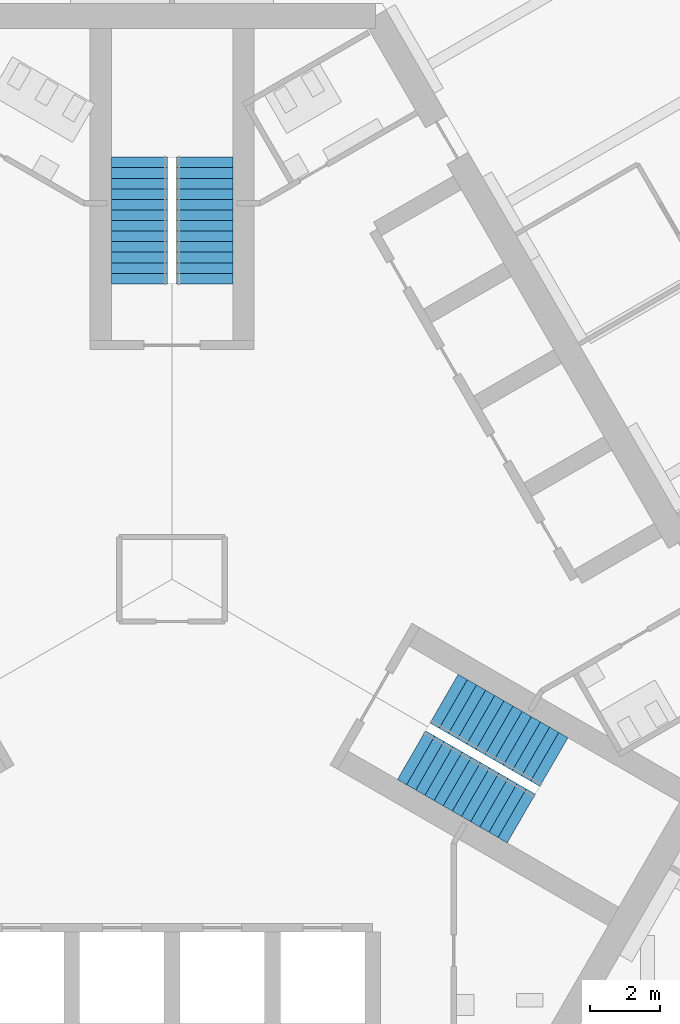
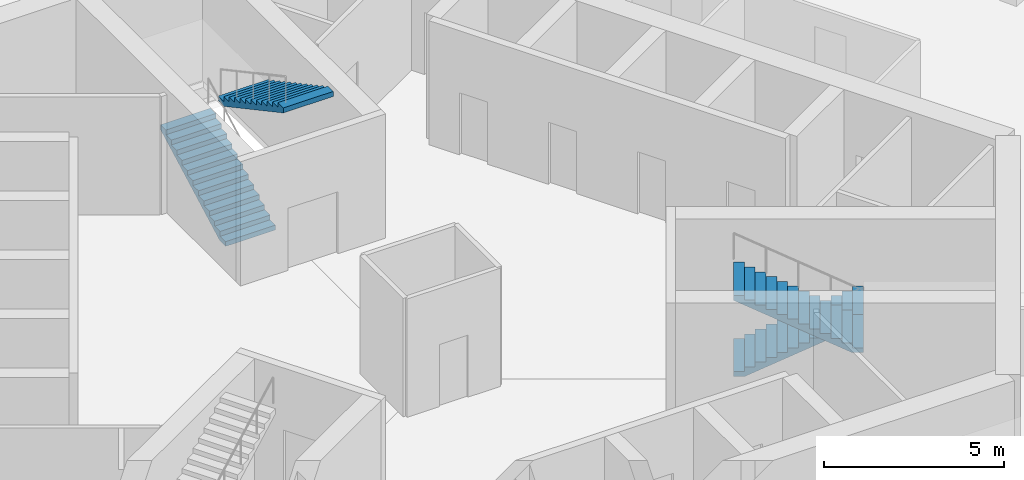
# One storey, part 14 of 19: 4 stair flights, 2 elements without a shape of their own.
"""IFC4 building model written with IfcOpenShell, lengths in metres."""

from ifc_helpers import new_model, si_unit, direction, frame, origin, place, context, subcontext, project, spatial, polyline, outline, extrude, material, type_object, element, aggregate, save


model = new_model("IFC4")

# Units and contexts
model_context = context("Model", 3, precision=1e-05, world=origin(), true_north=direction((0.0, 1.0)))
body_context = subcontext(model_context, "Body", "Model", "MODEL_VIEW")
ifc_project = project(units=[si_unit("LENGTHUNIT", "METRE"), si_unit("AREAUNIT", "SQUARE_METRE"), si_unit("VOLUMEUNIT", "CUBIC_METRE"), si_unit("PLANEANGLEUNIT", "RADIAN"), si_unit("MASSUNIT", "GRAM", prefix="KILO")], contexts=[model_context])

# Site, building, storey
site_placement = place(None, origin())
site = spatial("IfcSite", under=ifc_project, at=site_placement, CompositionType="ELEMENT")
building_placement = place(site_placement, origin())
building = spatial("IfcBuilding", under=site, at=building_placement, Name="Trefoil Bronze Tower", CompositionType="ELEMENT")
storey_placement = place(building_placement, frame((0.0, 0.0, 248.5)))
storey = spatial("IfcBuildingStorey", under=building, at=storey_placement, Name="L57", CompositionType="ELEMENT", Elevation=248.5)

# Stair, stair flights
ifc_material_1 = material(Name="Precast concrete B80", Category="concrete")
stair_type = type_object("IfcStairType", Name="Exit stair 26 risers", PredefinedType="HALF_TURN_STAIR", material=ifc_material_1)
stair_1_placement = place(storey_placement, origin())
stair_1 = element("IfcStair", 1, at=stair_1_placement, inside=storey, type_object=stair_type, Name="Stair ST1 L57", PredefinedType="HALF_TURN_STAIR")
ifc_material_2 = material(Name="Precast concrete B80", Category="concrete")
stair_flight_type = type_object("IfcStairFlightType", Name="Stair flight 1600", PredefinedType="STRAIGHT", material=ifc_material_2)
stair_flight_1_placement = place(storey_placement, frame((7.728515625, -3.39404296875, 0.0), z_axis=(0.0, 0.0, 1.0), x_axis=(0.866025403784, -0.5, 0.0)))
stair_flight_1 = element("IfcStairFlight", 2, at=stair_flight_1_placement, type_object=stair_flight_type, Name="ST1 flight 1", NumberOfRisers=13, NumberOfTreads=12, PredefinedType="STRAIGHT", RiserHeight=0.161538462, TreadLength=0.3, context=body_context, shape_type="SweptSolid", body=[
    extrude(outline(polyline([(0.0, 0.0), (0.0, 0.16162109375), (0.300048828125, 0.16162109375), (0.300048828125, 0.322998046875), (0.60009765625, 0.322998046875), (0.60009765625, 0.484619140625), (0.89990234375, 0.484619140625), (0.89990234375, 0.646240234375), (1.199951171875, 0.646240234375), (1.199951171875, 0.8076171875), (1.5, 0.8076171875), (1.5, 0.96923828125), (1.800048828125, 0.96923828125), (1.800048828125, 1.130859375), (2.10009765625, 1.130859375), (2.10009765625, 1.292236328125), (2.39990234375, 1.292236328125), (2.39990234375, 1.453857421875), (2.699951171875, 1.453857421875), (2.699951171875, 1.615478515625), (3.0, 1.615478515625), (3.0, 1.77685546875), (3.300048828125, 1.77685546875), (3.300048828125, 1.9384765625), (3.60009765625, 1.9384765625), (3.60009765625, 2.10009765625), (3.60009765625, 1.768310546875), (0.316162109375, 0.0), (0.0, 0.0)])), frame((0.0, 0.800048828125, 0.0), z_axis=(0.0, -1.0, 0.0), x_axis=(1.0, 0.0, 0.0)), (0.0, 0.0, 1.0), 1.60009765625),
])
stair_flight_2_placement = place(storey_placement, frame((9.921142578125, -6.796142578125, 2.10009765625), z_axis=(0.0, 0.0, 1.0), x_axis=(-0.866025403784, 0.5, 0.0)))
stair_flight_2 = element("IfcStairFlight", 3, at=stair_flight_2_placement, type_object=stair_flight_type, Name="ST1 flight 2", NumberOfRisers=13, NumberOfTreads=12, PredefinedType="STRAIGHT", RiserHeight=0.161538462, TreadLength=0.3, context=body_context, shape_type="SweptSolid", body=[
    extrude(outline(polyline([(0.0, 0.0), (0.0, 0.16162109375), (0.300048828125, 0.16162109375), (0.300048828125, 0.322998046875), (0.60009765625, 0.322998046875), (0.60009765625, 0.484619140625), (0.89990234375, 0.484619140625), (0.89990234375, 0.646240234375), (1.199951171875, 0.646240234375), (1.199951171875, 0.8076171875), (1.5, 0.8076171875), (1.5, 0.96923828125), (1.800048828125, 0.96923828125), (1.800048828125, 1.130859375), (2.10009765625, 1.130859375), (2.10009765625, 1.292236328125), (2.39990234375, 1.292236328125), (2.39990234375, 1.453857421875), (2.699951171875, 1.453857421875), (2.699951171875, 1.615478515625), (3.0, 1.615478515625), (3.0, 1.77685546875), (3.300048828125, 1.77685546875), (3.300048828125, 1.9384765625), (3.60009765625, 1.9384765625), (3.60009765625, 2.10009765625), (3.60009765625, 1.768310546875), (0.316162109375, 0.0), (0.0, 0.0)])), frame((0.0, 0.800048828125, 0.0), z_axis=(0.0, -1.0, 0.0), x_axis=(1.0, 0.0, 0.0)), (0.0, 0.0, 1.0), 1.60009765625),
])
aggregate(stair_1, [stair_flight_1, stair_flight_2])

stair_2_placement = place(storey_placement, origin())
stair_2 = element("IfcStair", 4, at=stair_2_placement, inside=storey, type_object=stair_type, Name="Stair ST2 L57", PredefinedType="HALF_TURN_STAIR")
stair_flight_3_placement = place(storey_placement, frame((-0.925048828125, 8.389892578125, 0.0), z_axis=(0.0, 0.0, 1.0), x_axis=(0.0, 1.0, 0.0)))
stair_flight_3 = element("IfcStairFlight", 5, at=stair_flight_3_placement, type_object=stair_flight_type, Name="ST2 flight 1", NumberOfRisers=13, NumberOfTreads=12, PredefinedType="STRAIGHT", RiserHeight=0.161538462, TreadLength=0.3, context=body_context, shape_type="SweptSolid", body=[
    extrude(outline(polyline([(0.0, 0.0), (0.0, 0.16162109375), (0.300048828125, 0.16162109375), (0.300048828125, 0.322998046875), (0.60009765625, 0.322998046875), (0.60009765625, 0.484619140625), (0.89990234375, 0.484619140625), (0.89990234375, 0.646240234375), (1.199951171875, 0.646240234375), (1.199951171875, 0.8076171875), (1.5, 0.8076171875), (1.5, 0.96923828125), (1.800048828125, 0.96923828125), (1.800048828125, 1.130859375), (2.10009765625, 1.130859375), (2.10009765625, 1.292236328125), (2.39990234375, 1.292236328125), (2.39990234375, 1.453857421875), (2.699951171875, 1.453857421875), (2.699951171875, 1.615478515625), (3.0, 1.615478515625), (3.0, 1.77685546875), (3.300048828125, 1.77685546875), (3.300048828125, 1.9384765625), (3.60009765625, 1.9384765625), (3.60009765625, 2.10009765625), (3.60009765625, 1.768310546875), (0.316162109375, 0.0), (0.0, 0.0)])), frame((0.0, 0.800048828125, 0.0), z_axis=(0.0, -1.0, 0.0), x_axis=(1.0, 0.0, 0.0)), (0.0, 0.0, 1.0), 1.60009765625),
])
stair_flight_4_placement = place(storey_placement, frame((0.925048828125, 11.989990234375, 2.10009765625), z_axis=(0.0, 0.0, 1.0), x_axis=(0.0, -1.0, 0.0)))
stair_flight_4 = element("IfcStairFlight", 6, at=stair_flight_4_placement, type_object=stair_flight_type, Name="ST2 flight 2", NumberOfRisers=13, NumberOfTreads=12, PredefinedType="STRAIGHT", RiserHeight=0.161538462, TreadLength=0.3, context=body_context, shape_type="SweptSolid", body=[
    extrude(outline(polyline([(0.0, 0.0), (0.0, 0.16162109375), (0.300048828125, 0.16162109375), (0.300048828125, 0.322998046875), (0.60009765625, 0.322998046875), (0.60009765625, 0.484619140625), (0.89990234375, 0.484619140625), (0.89990234375, 0.646240234375), (1.199951171875, 0.646240234375), (1.199951171875, 0.8076171875), (1.5, 0.8076171875), (1.5, 0.96923828125), (1.800048828125, 0.96923828125), (1.800048828125, 1.130859375), (2.10009765625, 1.130859375), (2.10009765625, 1.292236328125), (2.39990234375, 1.292236328125), (2.39990234375, 1.453857421875), (2.699951171875, 1.453857421875), (2.699951171875, 1.615478515625), (3.0, 1.615478515625), (3.0, 1.77685546875), (3.300048828125, 1.77685546875), (3.300048828125, 1.9384765625), (3.60009765625, 1.9384765625), (3.60009765625, 2.10009765625), (3.60009765625, 1.768310546875), (0.316162109375, 0.0), (0.0, 0.0)])), frame((0.0, 0.800048828125, 0.0), z_axis=(0.0, -1.0, 0.0), x_axis=(1.0, 0.0, 0.0)), (0.0, 0.0, 1.0), 1.60009765625),
])
aggregate(stair_2, [stair_flight_3, stair_flight_4])

save(model, "model.ifc")
